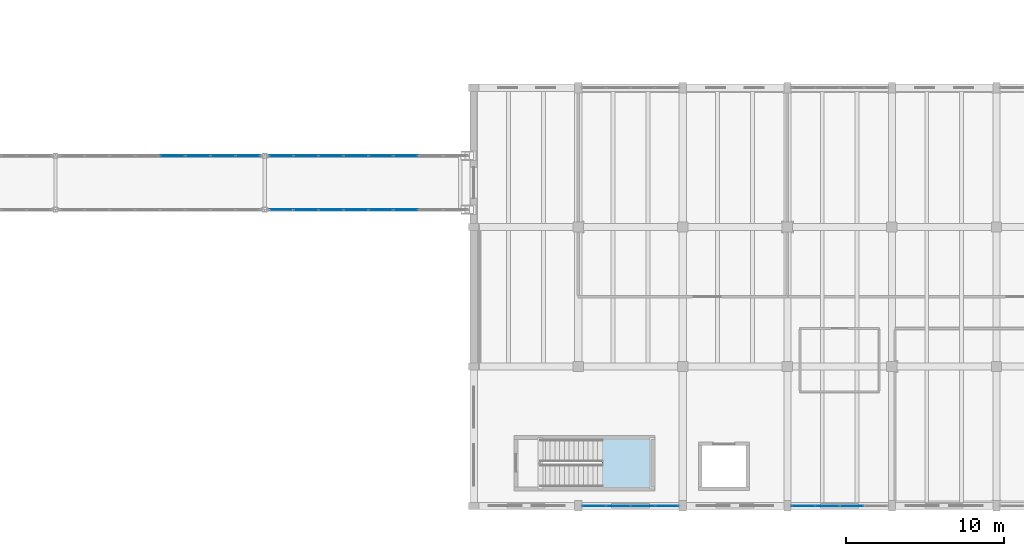
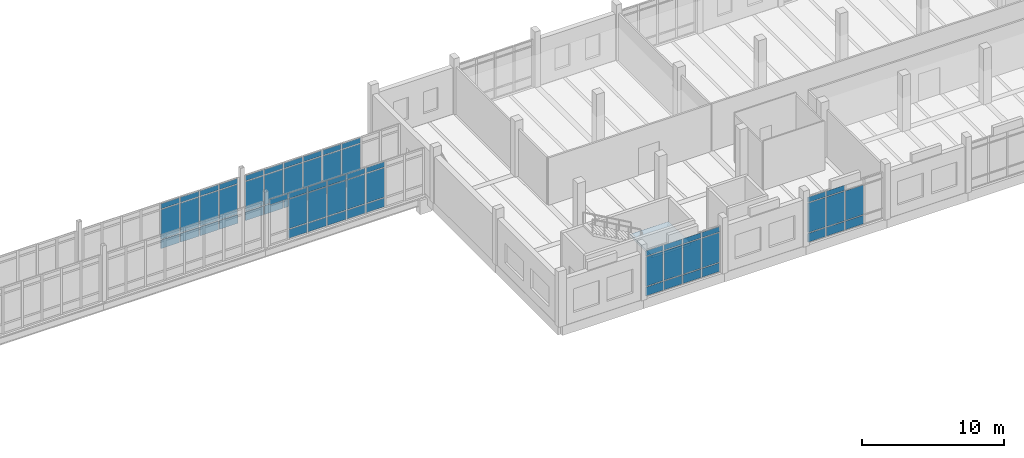
# One storey, part 49 of 101: 66 plates, 1 slab, 6 elements without a shape of their own.
"""IFC4 building model written with IfcOpenShell, lengths in metres."""

from ifc_helpers import new_model, si_unit, direction, frame, origin, origin_2d, place, context, subcontext, project, spatial, polyline, rectangle, outline, extrude, material, layer, layer_set, type_object, element, aggregate, save


model = new_model("IFC4")

# Units and contexts
model_context = context("Model", 3, precision=1e-05, world=origin(), true_north=direction((0.0, 1.0)))
body_context = subcontext(model_context, "Body", "Model", "MODEL_VIEW")
ifc_project = project(units=[si_unit("LENGTHUNIT", "METRE"), si_unit("AREAUNIT", "SQUARE_METRE"), si_unit("VOLUMEUNIT", "CUBIC_METRE"), si_unit("PLANEANGLEUNIT", "RADIAN"), si_unit("MASSUNIT", "GRAM", prefix="KILO")], contexts=[model_context])

# Site, building, storey
site_placement = place(None, origin())
site = spatial("IfcSite", under=ifc_project, at=site_placement, CompositionType="ELEMENT")
building_placement = place(site_placement, origin())
building = spatial("IfcBuilding", under=site, at=building_placement, Name="Dornvale Research Institute", CompositionType="ELEMENT")
storey_placement = place(building_placement, frame((0.0, 0.0, 10.199951171875)))
storey = spatial("IfcBuildingStorey", under=building, at=storey_placement, Name="L02", CompositionType="ELEMENT", Elevation=10.199951171875)

# Curtain wall, plates
ifc_material_1 = material(Name="Low-E Argon Double Insulating Glazing Unit", Category="glass")
curtain_wall_type_1 = type_object("IfcCurtainWallType", Name="UnitisedCurtainWall_V3_6150x4000", PredefinedType="USERDEFINED", material=ifc_material_1)
curtain_wall_1_placement = place(storey_placement, origin())
curtain_wall_1 = element("IfcCurtainWall", 1, at=curtain_wall_1_placement, inside=storey, type_object=curtain_wall_type_1, Name="L02 V3 unitised curtain wall CW-06 #52", ObjectType="UNITISED CURTAIN WALL", PredefinedType="USERDEFINED")
ifc_material_2 = material(Name="Insulated Ceramic-Frit Spandrel Glass Panel", Category="glass")
ifc_layer_1 = layer(ifc_material_2, 0.0419921875)
ifc_layer_set_1 = layer_set([ifc_layer_1], Name="Insulated Ceramic-Frit Spandrel Glass Panel")
plate_type_1 = type_object("IfcPlateType", Name="CurtainPanel_Spandrel_42", PredefinedType="CURTAIN_PANEL", material=ifc_layer_set_1)
plate_1_placement = place(storey_placement, frame((122.86865234375, 0.0, 0.065185546875), z_axis=(0.0, 0.0, 1.0), x_axis=(-1.0, 0.0, 0.0)))
plate_1 = element("IfcPlate", 2, at=plate_1_placement, type_object=plate_type_1, Name="CW-06 panel 2.1", PredefinedType="CURTAIN_PANEL", context=body_context, shape_type="SweptSolid", body=[
    extrude(rectangle(XDim=1.472412109375, YDim=0.0419921875, at=origin_2d()), origin(), (0.0, 0.0, 1.0), 0.75244140625),
])
plate_2_placement = place(storey_placement, frame((121.331298828125, 0.0, 0.065185546875), z_axis=(0.0, 0.0, 1.0), x_axis=(-1.0, 0.0, 0.0)))
plate_2 = element("IfcPlate", 3, at=plate_2_placement, type_object=plate_type_1, Name="CW-06 panel 3.1", PredefinedType="CURTAIN_PANEL", context=body_context, shape_type="SweptSolid", body=[
    extrude(rectangle(XDim=1.472412109375, YDim=0.0419921875, at=origin_2d()), origin(), (0.0, 0.0, 1.0), 0.75244140625),
])
plate_3_placement = place(storey_placement, frame((119.81005859375, 0.0, 0.065185546875), z_axis=(0.0, 0.0, 1.0), x_axis=(-1.0, 0.0, 0.0)))
plate_3 = element("IfcPlate", 4, at=plate_3_placement, type_object=plate_type_1, Name="CW-06 panel 4.1", PredefinedType="CURTAIN_PANEL", context=body_context, shape_type="SweptSolid", body=[
    extrude(rectangle(XDim=1.43994140625, YDim=0.0419921875, at=origin_2d()), origin(), (0.0, 0.0, 1.0), 0.75244140625),
])

curtain_wall_2_placement = place(storey_placement, origin())
curtain_wall_2 = element("IfcCurtainWall", 5, at=curtain_wall_2_placement, inside=storey, type_object=curtain_wall_type_1, Name="L02 V3 unitised curtain wall CW-06 #53", ObjectType="UNITISED CURTAIN WALL", PredefinedType="USERDEFINED")
plate_4_placement = place(storey_placement, frame((111.18994140625, 0.0, 0.065185546875), z_axis=(0.0, 0.0, 1.0), x_axis=(-1.0, 0.0, 0.0)))
plate_4 = element("IfcPlate", 6, at=plate_4_placement, type_object=plate_type_1, Name="CW-06 panel 1.1", PredefinedType="CURTAIN_PANEL", context=body_context, shape_type="SweptSolid", body=[
    extrude(rectangle(XDim=1.43994140625, YDim=0.0419921875, at=origin_2d()), origin(), (0.0, 0.0, 1.0), 0.75244140625),
])
plate_5_placement = place(storey_placement, frame((109.668701171875, 0.0, 0.065185546875), z_axis=(0.0, 0.0, 1.0), x_axis=(-1.0, 0.0, 0.0)))
plate_5 = element("IfcPlate", 7, at=plate_5_placement, type_object=plate_type_1, Name="CW-06 panel 2.1", PredefinedType="CURTAIN_PANEL", context=body_context, shape_type="SweptSolid", body=[
    extrude(rectangle(XDim=1.472412109375, YDim=0.0419921875, at=origin_2d()), origin(), (0.0, 0.0, 1.0), 0.75244140625),
])
plate_6_placement = place(storey_placement, frame((108.13134765625, 0.0, 0.065185546875), z_axis=(0.0, 0.0, 1.0), x_axis=(-1.0, 0.0, 0.0)))
plate_6 = element("IfcPlate", 8, at=plate_6_placement, type_object=plate_type_1, Name="CW-06 panel 3.1", PredefinedType="CURTAIN_PANEL", context=body_context, shape_type="SweptSolid", body=[
    extrude(rectangle(XDim=1.472412109375, YDim=0.0419921875, at=origin_2d()), origin(), (0.0, 0.0, 1.0), 0.75244140625),
])
plate_7_placement = place(storey_placement, frame((106.610107421875, 0.0, 0.065185546875), z_axis=(0.0, 0.0, 1.0), x_axis=(-1.0, 0.0, 0.0)))
plate_7 = element("IfcPlate", 9, at=plate_7_placement, type_object=plate_type_1, Name="CW-06 panel 4.1", PredefinedType="CURTAIN_PANEL", context=body_context, shape_type="SweptSolid", body=[
    extrude(rectangle(XDim=1.43994140625, YDim=0.0419921875, at=origin_2d()), origin(), (0.0, 0.0, 1.0), 0.75244140625),
])

ifc_material_3 = material(Name="Low-E Argon Double Insulating Glazing Unit", Category="glass")
curtain_wall_type_2 = type_object("IfcCurtainWallType", Name="UnitisedCurtainWall_V2_12700x4000", PredefinedType="USERDEFINED", material=ifc_material_3)
curtain_wall_3_placement = place(storey_placement, origin())
curtain_wall_3 = element("IfcCurtainWall", 10, at=curtain_wall_3_placement, inside=storey, type_object=curtain_wall_type_2, Name="L02 V2 unitised curtain wall CW-42 #227", ObjectType="UNITISED CURTAIN WALL", PredefinedType="USERDEFINED")
plate_8_placement = place(storey_placement, frame((79.99365234375, 22.10009765625, 0.065185546875), z_axis=(0.0, 0.0, 1.0), x_axis=(1.0, 0.0, 0.0)))
plate_8 = element("IfcPlate", 11, at=plate_8_placement, type_object=plate_type_1, Name="CW-42 panel 5.1", PredefinedType="CURTAIN_PANEL", context=body_context, shape_type="SweptSolid", body=[
    extrude(rectangle(XDim=1.5224609375, YDim=0.0419921875, at=origin_2d()), origin(), (0.0, 0.0, 1.0), 0.75244140625),
])
plate_9_placement = place(storey_placement, frame((81.581298828125, 22.10009765625, 0.065185546875), z_axis=(0.0, 0.0, 1.0), x_axis=(1.0, 0.0, 0.0)))
plate_9 = element("IfcPlate", 12, at=plate_9_placement, type_object=plate_type_1, Name="CW-42 panel 6.1", PredefinedType="CURTAIN_PANEL", context=body_context, shape_type="SweptSolid", body=[
    extrude(rectangle(XDim=1.5224609375, YDim=0.0419921875, at=origin_2d()), origin(), (0.0, 0.0, 1.0), 0.75244140625),
])
plate_10_placement = place(storey_placement, frame((83.168701171875, 22.10009765625, 0.065185546875), z_axis=(0.0, 0.0, 1.0), x_axis=(1.0, 0.0, 0.0)))
plate_10 = element("IfcPlate", 13, at=plate_10_placement, type_object=plate_type_1, Name="CW-42 panel 7.1", PredefinedType="CURTAIN_PANEL", context=body_context, shape_type="SweptSolid", body=[
    extrude(rectangle(XDim=1.5224609375, YDim=0.0419921875, at=origin_2d()), origin(), (0.0, 0.0, 1.0), 0.75244140625),
])
plate_11_placement = place(storey_placement, frame((84.739990234375, 22.10009765625, 0.065185546875), z_axis=(0.0, 0.0, 1.0), x_axis=(1.0, 0.0, 0.0)))
plate_11 = element("IfcPlate", 14, at=plate_11_placement, type_object=plate_type_1, Name="CW-42 panel 8.1", PredefinedType="CURTAIN_PANEL", context=body_context, shape_type="SweptSolid", body=[
    extrude(rectangle(XDim=1.489990234375, YDim=0.0419921875, at=origin_2d()), origin(), (0.0, 0.0, 1.0), 0.75244140625),
])

ifc_material_4 = material(Name="Low-E Argon Double Insulating Glazing Unit", Category="glass")
curtain_wall_type_3 = type_object("IfcCurtainWallType", Name="UnitisedCurtainWall_V2_12600x4000", PredefinedType="USERDEFINED", material=ifc_material_4)
curtain_wall_4_placement = place(storey_placement, origin())
curtain_wall_4 = element("IfcCurtainWall", 15, at=curtain_wall_4_placement, inside=storey, type_object=curtain_wall_type_3, Name="L02 V2 unitised curtain wall CW-41 #229", ObjectType="UNITISED CURTAIN WALL", PredefinedType="USERDEFINED")
plate_12_placement = place(storey_placement, frame((86.853759765625, 22.10009765625, 0.065185546875), z_axis=(0.0, 0.0, 1.0), x_axis=(1.0, 0.0, 0.0)))
plate_12 = element("IfcPlate", 16, at=plate_12_placement, type_object=plate_type_1, Name="CW-41 panel 1.1", PredefinedType="CURTAIN_PANEL", context=body_context, shape_type="SweptSolid", body=[
    extrude(rectangle(XDim=1.4775390625, YDim=0.0419921875, at=origin_2d()), origin(), (0.0, 0.0, 1.0), 0.75244140625),
])
plate_13_placement = place(storey_placement, frame((88.41259765625, 22.10009765625, 0.065185546875), z_axis=(0.0, 0.0, 1.0), x_axis=(1.0, 0.0, 0.0)))
plate_13 = element("IfcPlate", 17, at=plate_13_placement, type_object=plate_type_1, Name="CW-41 panel 2.1", PredefinedType="CURTAIN_PANEL", context=body_context, shape_type="SweptSolid", body=[
    extrude(rectangle(XDim=1.510009765625, YDim=0.0419921875, at=origin_2d()), origin(), (0.0, 0.0, 1.0), 0.75244140625),
])
plate_14_placement = place(storey_placement, frame((89.987548828125, 22.10009765625, 0.065185546875), z_axis=(0.0, 0.0, 1.0), x_axis=(1.0, 0.0, 0.0)))
plate_14 = element("IfcPlate", 18, at=plate_14_placement, type_object=plate_type_1, Name="CW-41 panel 3.1", PredefinedType="CURTAIN_PANEL", context=body_context, shape_type="SweptSolid", body=[
    extrude(rectangle(XDim=1.510009765625, YDim=0.0419921875, at=origin_2d()), origin(), (0.0, 0.0, 1.0), 0.75244140625),
])
plate_15_placement = place(storey_placement, frame((91.5625, 22.10009765625, 0.065185546875), z_axis=(0.0, 0.0, 1.0), x_axis=(1.0, 0.0, 0.0)))
plate_15 = element("IfcPlate", 19, at=plate_15_placement, type_object=plate_type_1, Name="CW-41 panel 4.1", PredefinedType="CURTAIN_PANEL", context=body_context, shape_type="SweptSolid", body=[
    extrude(rectangle(XDim=1.510009765625, YDim=0.0419921875, at=origin_2d()), origin(), (0.0, 0.0, 1.0), 0.75244140625),
])
plate_16_placement = place(storey_placement, frame((93.137451171875, 22.10009765625, 0.065185546875), z_axis=(0.0, 0.0, 1.0), x_axis=(1.0, 0.0, 0.0)))
plate_16 = element("IfcPlate", 20, at=plate_16_placement, type_object=plate_type_1, Name="CW-41 panel 5.1", PredefinedType="CURTAIN_PANEL", context=body_context, shape_type="SweptSolid", body=[
    extrude(rectangle(XDim=1.510009765625, YDim=0.0419921875, at=origin_2d()), origin(), (0.0, 0.0, 1.0), 0.75244140625),
])
plate_17_placement = place(storey_placement, frame((94.71240234375, 22.10009765625, 0.065185546875), z_axis=(0.0, 0.0, 1.0), x_axis=(1.0, 0.0, 0.0)))
plate_17 = element("IfcPlate", 21, at=plate_17_placement, type_object=plate_type_1, Name="CW-41 panel 6.1", PredefinedType="CURTAIN_PANEL", context=body_context, shape_type="SweptSolid", body=[
    extrude(rectangle(XDim=1.510009765625, YDim=0.0419921875, at=origin_2d()), origin(), (0.0, 0.0, 1.0), 0.75244140625),
])

curtain_wall_5_placement = place(storey_placement, origin())
curtain_wall_5 = element("IfcCurtainWall", 22, at=curtain_wall_5_placement, inside=storey, type_object=curtain_wall_type_3, Name="L02 V2 unitised curtain wall CW-41 #230", ObjectType="UNITISED CURTAIN WALL", PredefinedType="USERDEFINED")
plate_18_placement = place(storey_placement, frame((94.71240234375, 18.699951171875, 0.065185546875), z_axis=(0.0, 0.0, 1.0), x_axis=(-1.0, 0.0, 0.0)))
plate_18 = element("IfcPlate", 23, at=plate_18_placement, type_object=plate_type_1, Name="CW-41 panel 3.1", PredefinedType="CURTAIN_PANEL", context=body_context, shape_type="SweptSolid", body=[
    extrude(rectangle(XDim=1.510009765625, YDim=0.0419921875, at=origin_2d()), origin(), (0.0, 0.0, 1.0), 0.75244140625),
])
plate_19_placement = place(storey_placement, frame((93.137451171875, 18.699951171875, 0.065185546875), z_axis=(0.0, 0.0, 1.0), x_axis=(-1.0, 0.0, 0.0)))
plate_19 = element("IfcPlate", 24, at=plate_19_placement, type_object=plate_type_1, Name="CW-41 panel 4.1", PredefinedType="CURTAIN_PANEL", context=body_context, shape_type="SweptSolid", body=[
    extrude(rectangle(XDim=1.510009765625, YDim=0.0419921875, at=origin_2d()), origin(), (0.0, 0.0, 1.0), 0.75244140625),
])
plate_20_placement = place(storey_placement, frame((91.5625, 18.699951171875, 0.065185546875), z_axis=(0.0, 0.0, 1.0), x_axis=(-1.0, 0.0, 0.0)))
plate_20 = element("IfcPlate", 25, at=plate_20_placement, type_object=plate_type_1, Name="CW-41 panel 5.1", PredefinedType="CURTAIN_PANEL", context=body_context, shape_type="SweptSolid", body=[
    extrude(rectangle(XDim=1.510009765625, YDim=0.0419921875, at=origin_2d()), origin(), (0.0, 0.0, 1.0), 0.75244140625),
])
plate_21_placement = place(storey_placement, frame((89.987548828125, 18.699951171875, 0.065185546875), z_axis=(0.0, 0.0, 1.0), x_axis=(-1.0, 0.0, 0.0)))
plate_21 = element("IfcPlate", 26, at=plate_21_placement, type_object=plate_type_1, Name="CW-41 panel 6.1", PredefinedType="CURTAIN_PANEL", context=body_context, shape_type="SweptSolid", body=[
    extrude(rectangle(XDim=1.510009765625, YDim=0.0419921875, at=origin_2d()), origin(), (0.0, 0.0, 1.0), 0.75244140625),
])
plate_22_placement = place(storey_placement, frame((88.41259765625, 18.699951171875, 0.065185546875), z_axis=(0.0, 0.0, 1.0), x_axis=(-1.0, 0.0, 0.0)))
plate_22 = element("IfcPlate", 27, at=plate_22_placement, type_object=plate_type_1, Name="CW-41 panel 7.1", PredefinedType="CURTAIN_PANEL", context=body_context, shape_type="SweptSolid", body=[
    extrude(rectangle(XDim=1.510009765625, YDim=0.0419921875, at=origin_2d()), origin(), (0.0, 0.0, 1.0), 0.75244140625),
])

# Plate
ifc_material_5 = material(Name="Low-E Argon Double Insulating Glazing Unit", Category="glass")
ifc_layer_2 = layer(ifc_material_5, 0.028076171875)
ifc_layer_set_2 = layer_set([ifc_layer_2], Name="Low-E Argon Double Insulating Glazing Unit")
plate_type_2 = type_object("IfcPlateType", Name="CurtainPanel_Vision_28", PredefinedType="CURTAIN_PANEL", material=ifc_layer_set_2)
plate_23_placement = place(storey_placement, frame((122.86865234375, 0.0, 0.8828125), z_axis=(0.0, 0.0, 1.0), x_axis=(-1.0, 0.0, 0.0)))
plate_23 = element("IfcPlate", 28, at=plate_23_placement, type_object=plate_type_2, Name="CW-06 panel 2.2", PredefinedType="CURTAIN_PANEL", context=body_context, shape_type="SweptSolid", body=[
    extrude(rectangle(XDim=1.472412109375, YDim=0.028076171875, at=origin_2d()), origin(), (0.0, 0.0, 1.0), 2.534912109375),
])

plate_24_placement = place(storey_placement, frame((121.331298828125, 0.0, 0.8828125), z_axis=(0.0, 0.0, 1.0), x_axis=(-1.0, 0.0, 0.0)))
plate_24 = element("IfcPlate", 29, at=plate_24_placement, type_object=plate_type_2, Name="CW-06 panel 3.2", PredefinedType="CURTAIN_PANEL", context=body_context, shape_type="SweptSolid", body=[
    extrude(rectangle(XDim=1.472412109375, YDim=0.028076171875, at=origin_2d()), origin(), (0.0, 0.0, 1.0), 2.534912109375),
])

plate_25_placement = place(storey_placement, frame((121.331298828125, 0.0, 3.482421875), z_axis=(0.0, 0.0, 1.0), x_axis=(-1.0, 0.0, 0.0)))
plate_25 = element("IfcPlate", 30, at=plate_25_placement, type_object=plate_type_2, Name="CW-06 panel 3.3", PredefinedType="CURTAIN_PANEL", context=body_context, shape_type="SweptSolid", body=[
    extrude(rectangle(XDim=1.472412109375, YDim=0.028076171875, at=origin_2d()), origin(), (0.0, 0.0, 1.0), 0.452392578125),
])

plate_26_placement = place(storey_placement, frame((119.81005859375, 0.0, 0.8828125), z_axis=(0.0, 0.0, 1.0), x_axis=(-1.0, 0.0, 0.0)))
plate_26 = element("IfcPlate", 31, at=plate_26_placement, type_object=plate_type_2, Name="CW-06 panel 4.2", PredefinedType="CURTAIN_PANEL", context=body_context, shape_type="SweptSolid", body=[
    extrude(rectangle(XDim=1.43994140625, YDim=0.028076171875, at=origin_2d()), origin(), (0.0, 0.0, 1.0), 2.534912109375),
])

plate_27_placement = place(storey_placement, frame((119.81005859375, 0.0, 3.482421875), z_axis=(0.0, 0.0, 1.0), x_axis=(-1.0, 0.0, 0.0)))
plate_27 = element("IfcPlate", 32, at=plate_27_placement, type_object=plate_type_2, Name="CW-06 panel 4.3", PredefinedType="CURTAIN_PANEL", context=body_context, shape_type="SweptSolid", body=[
    extrude(rectangle(XDim=1.43994140625, YDim=0.028076171875, at=origin_2d()), origin(), (0.0, 0.0, 1.0), 0.452392578125),
])

aggregate(curtain_wall_1, [plate_1, plate_23, plate_2, plate_24, plate_25, plate_3, plate_26, plate_27])

plate_28_placement = place(storey_placement, frame((111.18994140625, 0.0, 0.8828125), z_axis=(0.0, 0.0, 1.0), x_axis=(-1.0, 0.0, 0.0)))
plate_28 = element("IfcPlate", 33, at=plate_28_placement, type_object=plate_type_2, Name="CW-06 panel 1.2", PredefinedType="CURTAIN_PANEL", context=body_context, shape_type="SweptSolid", body=[
    extrude(rectangle(XDim=1.43994140625, YDim=0.028076171875, at=origin_2d()), origin(), (0.0, 0.0, 1.0), 2.534912109375),
])

plate_29_placement = place(storey_placement, frame((111.18994140625, 0.0, 3.482421875), z_axis=(0.0, 0.0, 1.0), x_axis=(-1.0, 0.0, 0.0)))
plate_29 = element("IfcPlate", 34, at=plate_29_placement, type_object=plate_type_2, Name="CW-06 panel 1.3", PredefinedType="CURTAIN_PANEL", context=body_context, shape_type="SweptSolid", body=[
    extrude(rectangle(XDim=1.43994140625, YDim=0.028076171875, at=origin_2d()), origin(), (0.0, 0.0, 1.0), 0.452392578125),
])

plate_30_placement = place(storey_placement, frame((109.668701171875, 0.0, 0.8828125), z_axis=(0.0, 0.0, 1.0), x_axis=(-1.0, 0.0, 0.0)))
plate_30 = element("IfcPlate", 35, at=plate_30_placement, type_object=plate_type_2, Name="CW-06 panel 2.2", PredefinedType="CURTAIN_PANEL", context=body_context, shape_type="SweptSolid", body=[
    extrude(rectangle(XDim=1.472412109375, YDim=0.028076171875, at=origin_2d()), origin(), (0.0, 0.0, 1.0), 2.534912109375),
])

plate_31_placement = place(storey_placement, frame((109.668701171875, 0.0, 3.482421875), z_axis=(0.0, 0.0, 1.0), x_axis=(-1.0, 0.0, 0.0)))
plate_31 = element("IfcPlate", 36, at=plate_31_placement, type_object=plate_type_2, Name="CW-06 panel 2.3", PredefinedType="CURTAIN_PANEL", context=body_context, shape_type="SweptSolid", body=[
    extrude(rectangle(XDim=1.472412109375, YDim=0.028076171875, at=origin_2d()), origin(), (0.0, 0.0, 1.0), 0.452392578125),
])

plate_32_placement = place(storey_placement, frame((108.13134765625, 0.0, 0.8828125), z_axis=(0.0, 0.0, 1.0), x_axis=(-1.0, 0.0, 0.0)))
plate_32 = element("IfcPlate", 37, at=plate_32_placement, type_object=plate_type_2, Name="CW-06 panel 3.2", PredefinedType="CURTAIN_PANEL", context=body_context, shape_type="SweptSolid", body=[
    extrude(rectangle(XDim=1.472412109375, YDim=0.028076171875, at=origin_2d()), origin(), (0.0, 0.0, 1.0), 2.534912109375),
])

plate_33_placement = place(storey_placement, frame((108.13134765625, 0.0, 3.482421875), z_axis=(0.0, 0.0, 1.0), x_axis=(-1.0, 0.0, 0.0)))
plate_33 = element("IfcPlate", 38, at=plate_33_placement, type_object=plate_type_2, Name="CW-06 panel 3.3", PredefinedType="CURTAIN_PANEL", context=body_context, shape_type="SweptSolid", body=[
    extrude(rectangle(XDim=1.472412109375, YDim=0.028076171875, at=origin_2d()), origin(), (0.0, 0.0, 1.0), 0.452392578125),
])

plate_34_placement = place(storey_placement, frame((106.610107421875, 0.0, 0.8828125), z_axis=(0.0, 0.0, 1.0), x_axis=(-1.0, 0.0, 0.0)))
plate_34 = element("IfcPlate", 39, at=plate_34_placement, type_object=plate_type_2, Name="CW-06 panel 4.2", PredefinedType="CURTAIN_PANEL", context=body_context, shape_type="SweptSolid", body=[
    extrude(rectangle(XDim=1.43994140625, YDim=0.028076171875, at=origin_2d()), origin(), (0.0, 0.0, 1.0), 2.534912109375),
])

plate_35_placement = place(storey_placement, frame((106.610107421875, 0.0, 3.482421875), z_axis=(0.0, 0.0, 1.0), x_axis=(-1.0, 0.0, 0.0)))
plate_35 = element("IfcPlate", 40, at=plate_35_placement, type_object=plate_type_2, Name="CW-06 panel 4.3", PredefinedType="CURTAIN_PANEL", context=body_context, shape_type="SweptSolid", body=[
    extrude(rectangle(XDim=1.43994140625, YDim=0.028076171875, at=origin_2d()), origin(), (0.0, 0.0, 1.0), 0.452392578125),
])

aggregate(curtain_wall_2, [plate_4, plate_28, plate_29, plate_5, plate_30, plate_31, plate_6, plate_32, plate_33, plate_7, plate_34, plate_35])

plate_36_placement = place(storey_placement, frame((79.99365234375, 22.10009765625, 0.8828125), z_axis=(0.0, 0.0, 1.0), x_axis=(1.0, 0.0, 0.0)))
plate_36 = element("IfcPlate", 41, at=plate_36_placement, type_object=plate_type_2, Name="CW-42 panel 5.2", PredefinedType="CURTAIN_PANEL", context=body_context, shape_type="SweptSolid", body=[
    extrude(rectangle(XDim=1.5224609375, YDim=0.028076171875, at=origin_2d()), origin(), (0.0, 0.0, 1.0), 2.534912109375),
])

plate_37_placement = place(storey_placement, frame((79.99365234375, 22.10009765625, 3.482421875), z_axis=(0.0, 0.0, 1.0), x_axis=(1.0, 0.0, 0.0)))
plate_37 = element("IfcPlate", 42, at=plate_37_placement, type_object=plate_type_2, Name="CW-42 panel 5.3", PredefinedType="CURTAIN_PANEL", context=body_context, shape_type="SweptSolid", body=[
    extrude(rectangle(XDim=1.5224609375, YDim=0.028076171875, at=origin_2d()), origin(), (0.0, 0.0, 1.0), 0.452392578125),
])

plate_38_placement = place(storey_placement, frame((81.581298828125, 22.10009765625, 0.8828125), z_axis=(0.0, 0.0, 1.0), x_axis=(1.0, 0.0, 0.0)))
plate_38 = element("IfcPlate", 43, at=plate_38_placement, type_object=plate_type_2, Name="CW-42 panel 6.2", PredefinedType="CURTAIN_PANEL", context=body_context, shape_type="SweptSolid", body=[
    extrude(rectangle(XDim=1.5224609375, YDim=0.028076171875, at=origin_2d()), origin(), (0.0, 0.0, 1.0), 2.534912109375),
])

plate_39_placement = place(storey_placement, frame((81.581298828125, 22.10009765625, 3.482421875), z_axis=(0.0, 0.0, 1.0), x_axis=(1.0, 0.0, 0.0)))
plate_39 = element("IfcPlate", 44, at=plate_39_placement, type_object=plate_type_2, Name="CW-42 panel 6.3", PredefinedType="CURTAIN_PANEL", context=body_context, shape_type="SweptSolid", body=[
    extrude(rectangle(XDim=1.5224609375, YDim=0.028076171875, at=origin_2d()), origin(), (0.0, 0.0, 1.0), 0.452392578125),
])

plate_40_placement = place(storey_placement, frame((83.168701171875, 22.10009765625, 0.8828125), z_axis=(0.0, 0.0, 1.0), x_axis=(1.0, 0.0, 0.0)))
plate_40 = element("IfcPlate", 45, at=plate_40_placement, type_object=plate_type_2, Name="CW-42 panel 7.2", PredefinedType="CURTAIN_PANEL", context=body_context, shape_type="SweptSolid", body=[
    extrude(rectangle(XDim=1.5224609375, YDim=0.028076171875, at=origin_2d()), origin(), (0.0, 0.0, 1.0), 2.534912109375),
])

plate_41_placement = place(storey_placement, frame((83.168701171875, 22.10009765625, 3.482421875), z_axis=(0.0, 0.0, 1.0), x_axis=(1.0, 0.0, 0.0)))
plate_41 = element("IfcPlate", 46, at=plate_41_placement, type_object=plate_type_2, Name="CW-42 panel 7.3", PredefinedType="CURTAIN_PANEL", context=body_context, shape_type="SweptSolid", body=[
    extrude(rectangle(XDim=1.5224609375, YDim=0.028076171875, at=origin_2d()), origin(), (0.0, 0.0, 1.0), 0.452392578125),
])

plate_42_placement = place(storey_placement, frame((84.739990234375, 22.10009765625, 0.8828125), z_axis=(0.0, 0.0, 1.0), x_axis=(1.0, 0.0, 0.0)))
plate_42 = element("IfcPlate", 47, at=plate_42_placement, type_object=plate_type_2, Name="CW-42 panel 8.2", PredefinedType="CURTAIN_PANEL", context=body_context, shape_type="SweptSolid", body=[
    extrude(rectangle(XDim=1.489990234375, YDim=0.028076171875, at=origin_2d()), origin(), (0.0, 0.0, 1.0), 2.534912109375),
])

plate_43_placement = place(storey_placement, frame((84.739990234375, 22.10009765625, 3.482421875), z_axis=(0.0, 0.0, 1.0), x_axis=(1.0, 0.0, 0.0)))
plate_43 = element("IfcPlate", 48, at=plate_43_placement, type_object=plate_type_2, Name="CW-42 panel 8.3", PredefinedType="CURTAIN_PANEL", context=body_context, shape_type="SweptSolid", body=[
    extrude(rectangle(XDim=1.489990234375, YDim=0.028076171875, at=origin_2d()), origin(), (0.0, 0.0, 1.0), 0.452392578125),
])

aggregate(curtain_wall_3, [plate_8, plate_36, plate_37, plate_9, plate_38, plate_39, plate_10, plate_40, plate_41, plate_11, plate_42, plate_43])

plate_44_placement = place(storey_placement, frame((86.853759765625, 22.10009765625, 0.8828125), z_axis=(0.0, 0.0, 1.0), x_axis=(1.0, 0.0, 0.0)))
plate_44 = element("IfcPlate", 49, at=plate_44_placement, type_object=plate_type_2, Name="CW-41 panel 1.2", PredefinedType="CURTAIN_PANEL", context=body_context, shape_type="SweptSolid", body=[
    extrude(rectangle(XDim=1.4775390625, YDim=0.028076171875, at=origin_2d()), origin(), (0.0, 0.0, 1.0), 2.534912109375),
])

plate_45_placement = place(storey_placement, frame((86.853759765625, 22.10009765625, 3.482421875), z_axis=(0.0, 0.0, 1.0), x_axis=(1.0, 0.0, 0.0)))
plate_45 = element("IfcPlate", 50, at=plate_45_placement, type_object=plate_type_2, Name="CW-41 panel 1.3", PredefinedType="CURTAIN_PANEL", context=body_context, shape_type="SweptSolid", body=[
    extrude(rectangle(XDim=1.4775390625, YDim=0.028076171875, at=origin_2d()), origin(), (0.0, 0.0, 1.0), 0.452392578125),
])

plate_46_placement = place(storey_placement, frame((88.41259765625, 22.10009765625, 0.8828125), z_axis=(0.0, 0.0, 1.0), x_axis=(1.0, 0.0, 0.0)))
plate_46 = element("IfcPlate", 51, at=plate_46_placement, type_object=plate_type_2, Name="CW-41 panel 2.2", PredefinedType="CURTAIN_PANEL", context=body_context, shape_type="SweptSolid", body=[
    extrude(rectangle(XDim=1.510009765625, YDim=0.028076171875, at=origin_2d()), origin(), (0.0, 0.0, 1.0), 2.534912109375),
])

plate_47_placement = place(storey_placement, frame((88.41259765625, 22.10009765625, 3.482421875), z_axis=(0.0, 0.0, 1.0), x_axis=(1.0, 0.0, 0.0)))
plate_47 = element("IfcPlate", 52, at=plate_47_placement, type_object=plate_type_2, Name="CW-41 panel 2.3", PredefinedType="CURTAIN_PANEL", context=body_context, shape_type="SweptSolid", body=[
    extrude(rectangle(XDim=1.510009765625, YDim=0.028076171875, at=origin_2d()), origin(), (0.0, 0.0, 1.0), 0.452392578125),
])

plate_48_placement = place(storey_placement, frame((89.987548828125, 22.10009765625, 0.8828125), z_axis=(0.0, 0.0, 1.0), x_axis=(1.0, 0.0, 0.0)))
plate_48 = element("IfcPlate", 53, at=plate_48_placement, type_object=plate_type_2, Name="CW-41 panel 3.2", PredefinedType="CURTAIN_PANEL", context=body_context, shape_type="SweptSolid", body=[
    extrude(rectangle(XDim=1.510009765625, YDim=0.028076171875, at=origin_2d()), origin(), (0.0, 0.0, 1.0), 2.534912109375),
])

plate_49_placement = place(storey_placement, frame((89.987548828125, 22.10009765625, 3.482421875), z_axis=(0.0, 0.0, 1.0), x_axis=(1.0, 0.0, 0.0)))
plate_49 = element("IfcPlate", 54, at=plate_49_placement, type_object=plate_type_2, Name="CW-41 panel 3.3", PredefinedType="CURTAIN_PANEL", context=body_context, shape_type="SweptSolid", body=[
    extrude(rectangle(XDim=1.510009765625, YDim=0.028076171875, at=origin_2d()), origin(), (0.0, 0.0, 1.0), 0.452392578125),
])

plate_50_placement = place(storey_placement, frame((91.5625, 22.10009765625, 0.8828125), z_axis=(0.0, 0.0, 1.0), x_axis=(1.0, 0.0, 0.0)))
plate_50 = element("IfcPlate", 55, at=plate_50_placement, type_object=plate_type_2, Name="CW-41 panel 4.2", PredefinedType="CURTAIN_PANEL", context=body_context, shape_type="SweptSolid", body=[
    extrude(rectangle(XDim=1.510009765625, YDim=0.028076171875, at=origin_2d()), origin(), (0.0, 0.0, 1.0), 2.534912109375),
])

plate_51_placement = place(storey_placement, frame((91.5625, 22.10009765625, 3.482421875), z_axis=(0.0, 0.0, 1.0), x_axis=(1.0, 0.0, 0.0)))
plate_51 = element("IfcPlate", 56, at=plate_51_placement, type_object=plate_type_2, Name="CW-41 panel 4.3", PredefinedType="CURTAIN_PANEL", context=body_context, shape_type="SweptSolid", body=[
    extrude(rectangle(XDim=1.510009765625, YDim=0.028076171875, at=origin_2d()), origin(), (0.0, 0.0, 1.0), 0.452392578125),
])

plate_52_placement = place(storey_placement, frame((93.137451171875, 22.10009765625, 0.8828125), z_axis=(0.0, 0.0, 1.0), x_axis=(1.0, 0.0, 0.0)))
plate_52 = element("IfcPlate", 57, at=plate_52_placement, type_object=plate_type_2, Name="CW-41 panel 5.2", PredefinedType="CURTAIN_PANEL", context=body_context, shape_type="SweptSolid", body=[
    extrude(rectangle(XDim=1.510009765625, YDim=0.028076171875, at=origin_2d()), origin(), (0.0, 0.0, 1.0), 2.534912109375),
])

plate_53_placement = place(storey_placement, frame((93.137451171875, 22.10009765625, 3.482421875), z_axis=(0.0, 0.0, 1.0), x_axis=(1.0, 0.0, 0.0)))
plate_53 = element("IfcPlate", 58, at=plate_53_placement, type_object=plate_type_2, Name="CW-41 panel 5.3", PredefinedType="CURTAIN_PANEL", context=body_context, shape_type="SweptSolid", body=[
    extrude(rectangle(XDim=1.510009765625, YDim=0.028076171875, at=origin_2d()), origin(), (0.0, 0.0, 1.0), 0.452392578125),
])

plate_54_placement = place(storey_placement, frame((94.71240234375, 22.10009765625, 0.8828125), z_axis=(0.0, 0.0, 1.0), x_axis=(1.0, 0.0, 0.0)))
plate_54 = element("IfcPlate", 59, at=plate_54_placement, type_object=plate_type_2, Name="CW-41 panel 6.2", PredefinedType="CURTAIN_PANEL", context=body_context, shape_type="SweptSolid", body=[
    extrude(rectangle(XDim=1.510009765625, YDim=0.028076171875, at=origin_2d()), origin(), (0.0, 0.0, 1.0), 2.534912109375),
])

plate_55_placement = place(storey_placement, frame((94.71240234375, 22.10009765625, 3.482421875), z_axis=(0.0, 0.0, 1.0), x_axis=(1.0, 0.0, 0.0)))
plate_55 = element("IfcPlate", 60, at=plate_55_placement, type_object=plate_type_2, Name="CW-41 panel 6.3", PredefinedType="CURTAIN_PANEL", context=body_context, shape_type="SweptSolid", body=[
    extrude(rectangle(XDim=1.510009765625, YDim=0.028076171875, at=origin_2d()), origin(), (0.0, 0.0, 1.0), 0.452392578125),
])

aggregate(curtain_wall_4, [plate_12, plate_44, plate_45, plate_13, plate_46, plate_47, plate_14, plate_48, plate_49, plate_15, plate_50, plate_51, plate_16, plate_52, plate_53, plate_17, plate_54, plate_55])

plate_56_placement = place(storey_placement, frame((94.71240234375, 18.699951171875, 0.8828125), z_axis=(0.0, 0.0, 1.0), x_axis=(-1.0, 0.0, 0.0)))
plate_56 = element("IfcPlate", 61, at=plate_56_placement, type_object=plate_type_2, Name="CW-41 panel 3.2", PredefinedType="CURTAIN_PANEL", context=body_context, shape_type="SweptSolid", body=[
    extrude(rectangle(XDim=1.510009765625, YDim=0.028076171875, at=origin_2d()), origin(), (0.0, 0.0, 1.0), 2.534912109375),
])

plate_57_placement = place(storey_placement, frame((94.71240234375, 18.699951171875, 3.482421875), z_axis=(0.0, 0.0, 1.0), x_axis=(-1.0, 0.0, 0.0)))
plate_57 = element("IfcPlate", 62, at=plate_57_placement, type_object=plate_type_2, Name="CW-41 panel 3.3", PredefinedType="CURTAIN_PANEL", context=body_context, shape_type="SweptSolid", body=[
    extrude(rectangle(XDim=1.510009765625, YDim=0.028076171875, at=origin_2d()), origin(), (0.0, 0.0, 1.0), 0.452392578125),
])

plate_58_placement = place(storey_placement, frame((93.137451171875, 18.699951171875, 0.8828125), z_axis=(0.0, 0.0, 1.0), x_axis=(-1.0, 0.0, 0.0)))
plate_58 = element("IfcPlate", 63, at=plate_58_placement, type_object=plate_type_2, Name="CW-41 panel 4.2", PredefinedType="CURTAIN_PANEL", context=body_context, shape_type="SweptSolid", body=[
    extrude(rectangle(XDim=1.510009765625, YDim=0.028076171875, at=origin_2d()), origin(), (0.0, 0.0, 1.0), 2.534912109375),
])

plate_59_placement = place(storey_placement, frame((93.137451171875, 18.699951171875, 3.482421875), z_axis=(0.0, 0.0, 1.0), x_axis=(-1.0, 0.0, 0.0)))
plate_59 = element("IfcPlate", 64, at=plate_59_placement, type_object=plate_type_2, Name="CW-41 panel 4.3", PredefinedType="CURTAIN_PANEL", context=body_context, shape_type="SweptSolid", body=[
    extrude(rectangle(XDim=1.510009765625, YDim=0.028076171875, at=origin_2d()), origin(), (0.0, 0.0, 1.0), 0.452392578125),
])

plate_60_placement = place(storey_placement, frame((91.5625, 18.699951171875, 0.8828125), z_axis=(0.0, 0.0, 1.0), x_axis=(-1.0, 0.0, 0.0)))
plate_60 = element("IfcPlate", 65, at=plate_60_placement, type_object=plate_type_2, Name="CW-41 panel 5.2", PredefinedType="CURTAIN_PANEL", context=body_context, shape_type="SweptSolid", body=[
    extrude(rectangle(XDim=1.510009765625, YDim=0.028076171875, at=origin_2d()), origin(), (0.0, 0.0, 1.0), 2.534912109375),
])

plate_61_placement = place(storey_placement, frame((91.5625, 18.699951171875, 3.482421875), z_axis=(0.0, 0.0, 1.0), x_axis=(-1.0, 0.0, 0.0)))
plate_61 = element("IfcPlate", 66, at=plate_61_placement, type_object=plate_type_2, Name="CW-41 panel 5.3", PredefinedType="CURTAIN_PANEL", context=body_context, shape_type="SweptSolid", body=[
    extrude(rectangle(XDim=1.510009765625, YDim=0.028076171875, at=origin_2d()), origin(), (0.0, 0.0, 1.0), 0.452392578125),
])

plate_62_placement = place(storey_placement, frame((89.987548828125, 18.699951171875, 0.8828125), z_axis=(0.0, 0.0, 1.0), x_axis=(-1.0, 0.0, 0.0)))
plate_62 = element("IfcPlate", 67, at=plate_62_placement, type_object=plate_type_2, Name="CW-41 panel 6.2", PredefinedType="CURTAIN_PANEL", context=body_context, shape_type="SweptSolid", body=[
    extrude(rectangle(XDim=1.510009765625, YDim=0.028076171875, at=origin_2d()), origin(), (0.0, 0.0, 1.0), 2.534912109375),
])

plate_63_placement = place(storey_placement, frame((89.987548828125, 18.699951171875, 3.482421875), z_axis=(0.0, 0.0, 1.0), x_axis=(-1.0, 0.0, 0.0)))
plate_63 = element("IfcPlate", 68, at=plate_63_placement, type_object=plate_type_2, Name="CW-41 panel 6.3", PredefinedType="CURTAIN_PANEL", context=body_context, shape_type="SweptSolid", body=[
    extrude(rectangle(XDim=1.510009765625, YDim=0.028076171875, at=origin_2d()), origin(), (0.0, 0.0, 1.0), 0.452392578125),
])

plate_64_placement = place(storey_placement, frame((88.41259765625, 18.699951171875, 0.8828125), z_axis=(0.0, 0.0, 1.0), x_axis=(-1.0, 0.0, 0.0)))
plate_64 = element("IfcPlate", 69, at=plate_64_placement, type_object=plate_type_2, Name="CW-41 panel 7.2", PredefinedType="CURTAIN_PANEL", context=body_context, shape_type="SweptSolid", body=[
    extrude(rectangle(XDim=1.510009765625, YDim=0.028076171875, at=origin_2d()), origin(), (0.0, 0.0, 1.0), 2.534912109375),
])

plate_65_placement = place(storey_placement, frame((88.41259765625, 18.699951171875, 3.482421875), z_axis=(0.0, 0.0, 1.0), x_axis=(-1.0, 0.0, 0.0)))
plate_65 = element("IfcPlate", 70, at=plate_65_placement, type_object=plate_type_2, Name="CW-41 panel 7.3", PredefinedType="CURTAIN_PANEL", context=body_context, shape_type="SweptSolid", body=[
    extrude(rectangle(XDim=1.510009765625, YDim=0.028076171875, at=origin_2d()), origin(), (0.0, 0.0, 1.0), 0.452392578125),
])

plate_66_placement = place(storey_placement, frame((86.853759765625, 18.699951171875, 3.482421875), z_axis=(0.0, 0.0, 1.0), x_axis=(-1.0, 0.0, 0.0)))
plate_66 = element("IfcPlate", 71, at=plate_66_placement, type_object=plate_type_2, Name="CW-41 panel 8.3", PredefinedType="CURTAIN_PANEL", context=body_context, shape_type="SweptSolid", body=[
    extrude(rectangle(XDim=1.4775390625, YDim=0.028076171875, at=origin_2d()), origin(), (0.0, 0.0, 1.0), 0.452392578125),
])

aggregate(curtain_wall_5, [plate_18, plate_56, plate_57, plate_19, plate_58, plate_59, plate_20, plate_60, plate_61, plate_21, plate_62, plate_63, plate_22, plate_64, plate_65, plate_66])

# Stair, slab
ifc_material_6 = material(Name="Concrete f'c 45 MPa (C35/45)", Category="concrete")
stair_type = type_object("IfcStairType", Name="HalfTurnStair_RC", PredefinedType="HALF_TURN_STAIR", material=ifc_material_6)
stair_placement = place(storey_placement, origin())
stair = element("IfcStair", 72, at=stair_placement, inside=storey, type_object=stair_type, Name="L02 Exit stair ST-5", PredefinedType="HALF_TURN_STAIR")
ifc_material_7 = material(Name="Concrete f'c 45 MPa (C35/45)", Category="concrete")
ifc_layer_3 = layer(ifc_material_7, 0.199951171875)
ifc_layer_set_3 = layer_set([ifc_layer_3], Name="Concrete f'c 45 MPa (C35/45)")
slab_type = type_object("IfcSlabType", Name="Landing_Stair_200", PredefinedType="LANDING", material=ifc_layer_set_3)
slab_placement = place(storey_placement, frame((0.0, 0.0, 2.199951171875)))
slab = element("IfcSlab", 73, at=slab_placement, type_object=slab_type, Name="ST-5 landing 1", PredefinedType="LANDING", context=body_context, shape_type="SweptSolid", body=[
    extrude(outline(polyline([(107.090087890625, 1.169921875), (107.090087890625, 4.22998046875), (110.22998046875, 4.22998046875), (110.22998046875, 1.169921875), (107.090087890625, 1.169921875)])), origin(), (0.0, 0.0, 1.0), 0.2001953125),
])
aggregate(stair, [slab])

save(model, "model.ifc")
